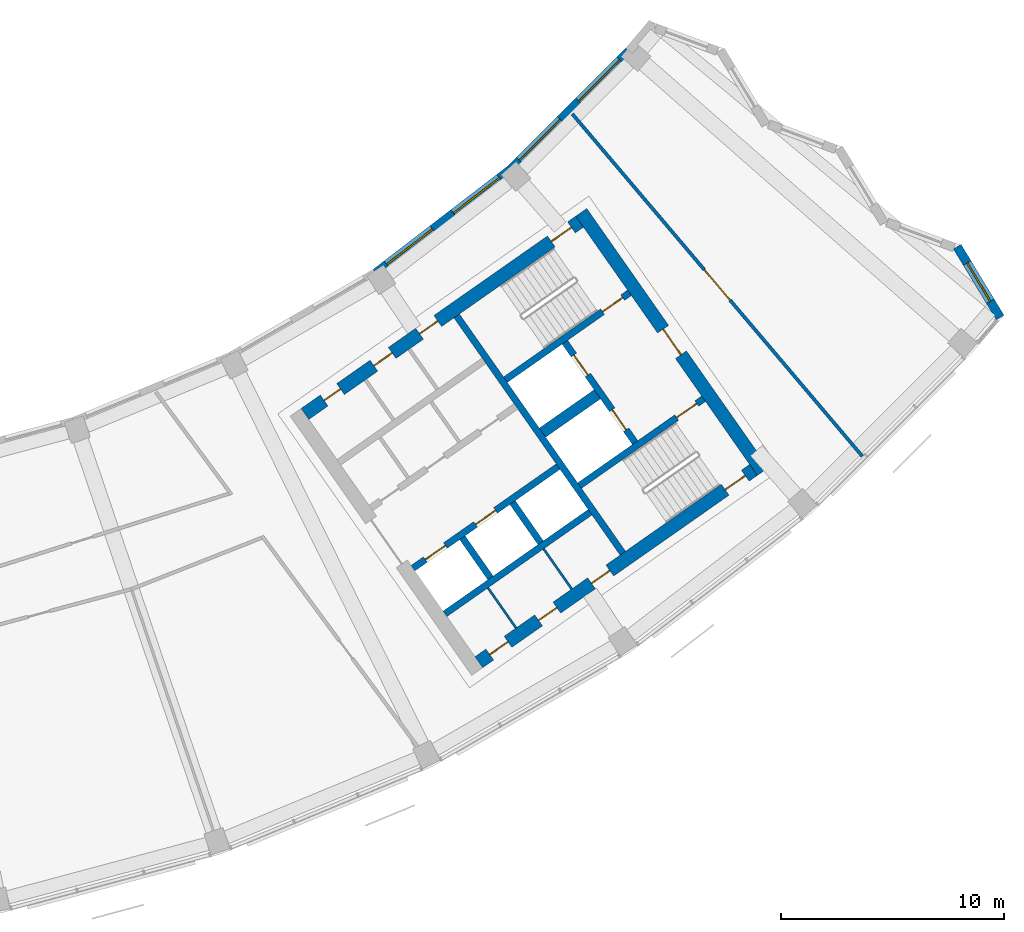
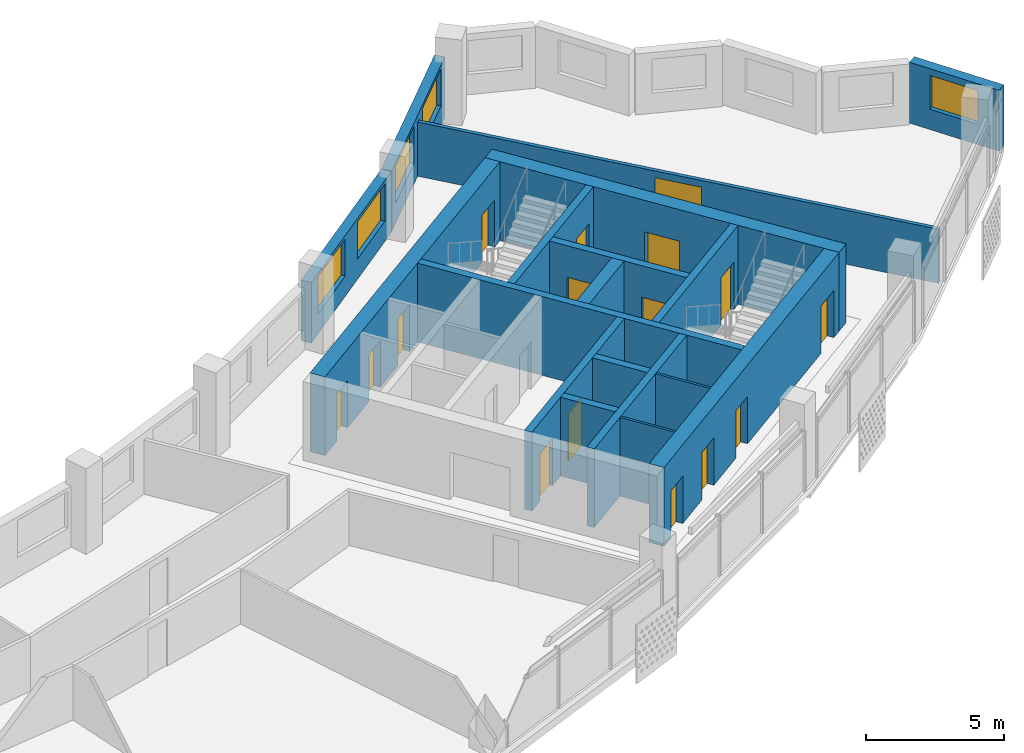
# One storey, part 7 of 28: 18 walls, 16 doors, 5 windows, 21 openings.
"""IFC4 building model written with IfcOpenShell, lengths in metres."""

from ifc_helpers import new_model, si_unit, direction, frame, frame_2d, origin, place, context, subcontext, project, spatial, rectangle, extrude, material, layer, layer_set, type_object, element, fill, save


model = new_model("IFC4")

# Units and contexts
model_context = context("Model", 3, precision=1e-05, world=origin(), true_north=direction((0.0, 1.0)))
body_context = subcontext(model_context, "Body", "Model", "MODEL_VIEW")
ifc_project = project(units=[si_unit("LENGTHUNIT", "METRE"), si_unit("AREAUNIT", "SQUARE_METRE"), si_unit("VOLUMEUNIT", "CUBIC_METRE"), si_unit("PLANEANGLEUNIT", "RADIAN"), si_unit("MASSUNIT", "GRAM", prefix="KILO")], contexts=[model_context])

# Site, building, storey
site_placement = place(None, origin())
site = spatial("IfcSite", under=ifc_project, at=site_placement, CompositionType="ELEMENT")
building_placement = place(site_placement, origin())
building = spatial("IfcBuilding", under=site, at=building_placement, Name="Qamariyya Broadcast Tower", CompositionType="ELEMENT")
storey_placement = place(building_placement, frame((0.0, 0.0, 269.5)))
storey = spatial("IfcBuildingStorey", under=building, at=storey_placement, Name="L65", CompositionType="ELEMENT", Elevation=269.5)

# Wall, opening, door
ifc_material_1 = material(Name="Concrete C60/75", Category="concrete")
ifc_layer_1 = layer(ifc_material_1, 0.60009765625)
ifc_layer_set_1 = layer_set([ifc_layer_1], Name="Core wall 600 mm Concrete C60/75")
wall_type_1 = type_object("IfcWallType", Name="Core wall 600 mm Concrete C60/75", PredefinedType="SHEAR", material=ifc_layer_set_1)
wall_1_placement = place(storey_placement, frame((49.4833984375, -57.031494140625, 0.0), z_axis=(0.0, 0.0, 1.0), x_axis=(-0.573560421458, 0.819163257805, 0.0)))
wall_1 = element("IfcWall", 1, at=wall_1_placement, inside=storey, type_object=wall_type_1, Name="k-E-L65-WH", PredefinedType="SHEAR", context=body_context, shape_type="SweptSolid", body=[
    extrude(rectangle(XDim=14.199951171875, YDim=0.60009765625, at=frame_2d((7.10009765625, 0.0))), origin(), (0.0, 0.0, 1.0), 3.5),
])
opening_1_placement = place(wall_1_placement, frame((6.39990234375, 0.0, 0.0)))
opening_1 = element("IfcOpeningElement", 2, at=opening_1_placement, cuts=wall_1, Name="Opening KD2-E1", PredefinedType="OPENING", context=body_context, shape_type="SweptSolid", body=[
    extrude(rectangle(XDim=1.39990234375, YDim=2.10009765625, at=frame_2d((0.699951171875, 1.050048828125))), frame((0.0, 0.31005859375, 0.0), z_axis=(0.0, -1.0, 0.0), x_axis=(1.0, 0.0, 0.0)), (0.0, 0.0, 1.0), 0.6201171875),
])
ifc_material_2 = material(Name="Steel fire-resisting door leaf", Category="steel")
door_type_1 = type_object("IfcDoorType", Name="Fire-fighting lobby door KD2", OperationType="DOUBLE_DOOR_SINGLE_SWING", PredefinedType="DOOR", material=ifc_material_2)
door_1_placement = place(opening_1_placement, origin())
door_1 = element("IfcDoor", 3, at=door_1_placement, inside=storey, type_object=door_type_1, Name="k-E-L65-WH-D15", OperationType="DOUBLE_DOOR_SINGLE_SWING", OverallHeight=2.10009765625, OverallWidth=1.39990234375, PredefinedType="DOOR", context=body_context, shape_type="SweptSolid", body=[
    extrude(rectangle(XDim=1.39990234375, YDim=2.10009765625, at=frame_2d((0.699951171875, 1.050048828125))), frame((0.0, 0.02490234375, 0.0), z_axis=(0.0, -1.0, 0.0), x_axis=(1.0, 0.0, 0.0)), (0.0, 0.0, 1.0), 0.050048828125),
])
fill(opening_1, door_1)

# Wall, openings, doors
wall_2_placement = place(storey_placement, frame((28.940673828125, -54.447021484375, 0.0), z_axis=(0.0, 0.0, 1.0), x_axis=(0.819153391756, 0.573574511963, 0.0)))
wall_2 = element("IfcWall", 4, at=wall_2_placement, inside=storey, type_object=wall_type_1, Name="k-E-L65-WI", PredefinedType="SHEAR", context=body_context, shape_type="SweptSolid", body=[
    extrude(rectangle(XDim=15.04541015625, YDim=0.60009765625, at=frame_2d((7.522705078125, 0.0))), origin(), (0.0, 0.0, 1.0), 3.5),
])
opening_2_placement = place(wall_2_placement, frame((1.050048828125, 0.0, 0.0)))
opening_2 = element("IfcOpeningElement", 5, at=opening_2_placement, cuts=wall_2, Name="Opening KD5-E1", PredefinedType="OPENING", context=body_context, shape_type="SweptSolid", body=[
    extrude(rectangle(XDim=0.89990234375, YDim=2.10009765625, at=frame_2d((0.449951171875, 1.050048828125))), frame((0.0, 0.31005859375, 0.0), z_axis=(0.0, -1.0, 0.0), x_axis=(1.0, 0.0, 0.0)), (0.0, 0.0, 1.0), 0.6201171875),
])
opening_3_placement = place(wall_2_placement, frame((3.77490234375, 0.0, 0.0)))
opening_3 = element("IfcOpeningElement", 6, at=opening_3_placement, cuts=wall_2, Name="Opening KD7-E1", PredefinedType="OPENING", context=body_context, shape_type="SweptSolid", body=[
    extrude(rectangle(XDim=1.0, YDim=2.10009765625, at=frame_2d((0.5, 1.050048828125))), frame((0.0, 0.31005859375, 0.0), z_axis=(0.0, -1.0, 0.0), x_axis=(1.0, 0.0, 0.0)), (0.0, 0.0, 1.0), 0.6201171875),
])
opening_4_placement = place(wall_2_placement, frame((6.27490234375, 0.0, 0.0)))
opening_4 = element("IfcOpeningElement", 7, at=opening_4_placement, cuts=wall_2, Name="Opening KD6-E3", PredefinedType="OPENING", context=body_context, shape_type="SweptSolid", body=[
    extrude(rectangle(XDim=1.0, YDim=2.10009765625, at=frame_2d((0.5, 1.050048828125))), frame((0.0, 0.31005859375, 0.0), z_axis=(0.0, -1.0, 0.0), x_axis=(1.0, 0.0, 0.0)), (0.0, 0.0, 1.0), 0.6201171875),
])
opening_5_placement = place(wall_2_placement, frame((13.495361328125, 0.0, 0.0)))
opening_5 = element("IfcOpeningElement", 8, at=opening_5_placement, cuts=wall_2, Name="Opening KD1-E1", PredefinedType="OPENING", context=body_context, shape_type="SweptSolid", body=[
    extrude(rectangle(XDim=1.10009765625, YDim=2.10009765625, at=frame_2d((0.550048828125, 1.050048828125))), frame((0.0, 0.31005859375, 0.0), z_axis=(0.0, -1.0, 0.0), x_axis=(1.0, 0.0, 0.0)), (0.0, 0.0, 1.0), 0.6201171875),
])
door_type_2 = type_object("IfcDoorType", Name="Accessible toilet door KD7", OperationType="SINGLE_SWING_LEFT", PredefinedType="DOOR", material=ifc_material_2)
door_2_placement = place(opening_3_placement, origin())
door_2 = element("IfcDoor", 9, at=door_2_placement, inside=storey, type_object=door_type_2, Name="k-E-L65-WI-D8", OperationType="SINGLE_SWING_RIGHT", OverallHeight=2.10009765625, OverallWidth=1.0, PredefinedType="DOOR", context=body_context, shape_type="SweptSolid", body=[
    extrude(rectangle(XDim=1.0, YDim=2.10009765625, at=frame_2d((0.5, 1.050048828125))), frame((0.0, 0.02490234375, 0.0), z_axis=(0.0, -1.0, 0.0), x_axis=(1.0, 0.0, 0.0)), (0.0, 0.0, 1.0), 0.050048828125),
])
fill(opening_3, door_2)
door_type_3 = type_object("IfcDoorType", Name="Core room door KD6", OperationType="SINGLE_SWING_LEFT", PredefinedType="DOOR", material=ifc_material_2)
door_3_placement = place(opening_4_placement, origin())
door_3 = element("IfcDoor", 10, at=door_3_placement, inside=storey, type_object=door_type_3, Name="k-E-L65-WI-D9", OperationType="SINGLE_SWING_LEFT", OverallHeight=2.10009765625, OverallWidth=1.0, PredefinedType="DOOR", context=body_context, shape_type="SweptSolid", body=[
    extrude(rectangle(XDim=1.0, YDim=2.10009765625, at=frame_2d((0.5, 1.050048828125))), frame((0.0, 0.02490234375, 0.0), z_axis=(0.0, -1.0, 0.0), x_axis=(1.0, 0.0, 0.0)), (0.0, 0.0, 1.0), 0.050048828125),
])
fill(opening_4, door_3)
door_type_4 = type_object("IfcDoorType", Name="Stair door KD1", OperationType="SINGLE_SWING_LEFT", PredefinedType="DOOR", material=ifc_material_2)
door_4_placement = place(opening_5_placement, origin())
door_4 = element("IfcDoor", 11, at=door_4_placement, inside=storey, type_object=door_type_4, Name="k-E-L65-WI-D16", OperationType="SINGLE_SWING_RIGHT", OverallHeight=2.10009765625, OverallWidth=1.10009765625, PredefinedType="DOOR", context=body_context, shape_type="SweptSolid", body=[
    extrude(rectangle(XDim=1.10009765625, YDim=2.10009765625, at=frame_2d((0.550048828125, 1.050048828125))), frame((0.0, 0.02490234375, 0.0), z_axis=(0.0, -1.0, 0.0), x_axis=(1.0, 0.0, 0.0)), (0.0, 0.0, 1.0), 0.050048828125),
])
fill(opening_5, door_4)
door_type_5 = type_object("IfcDoorType", Name="Toilet door KD5", OperationType="SINGLE_SWING_LEFT", PredefinedType="DOOR", material=ifc_material_2)
door_5_placement = place(opening_2_placement, origin())
door_5 = element("IfcDoor", 12, at=door_5_placement, inside=storey, type_object=door_type_5, Name="k-E-L65-WI-D7", OperationType="SINGLE_SWING_LEFT", OverallHeight=2.10009765625, OverallWidth=0.89990234375, PredefinedType="DOOR", context=body_context, shape_type="SweptSolid", body=[
    extrude(rectangle(XDim=0.89990234375, YDim=2.10009765625, at=frame_2d((0.449951171875, 1.050048828125))), frame((0.0, 0.02490234375, 0.0), z_axis=(0.0, -1.0, 0.0), x_axis=(1.0, 0.0, 0.0)), (0.0, 0.0, 1.0), 0.050048828125),
])
fill(opening_2, door_5)

wall_3_placement = place(storey_placement, frame((36.7412109375, -65.58740234375, 0.0), z_axis=(0.0, 0.0, 1.0), x_axis=(0.819153391756, 0.573574511963, 0.0)))
wall_3 = element("IfcWall", 13, at=wall_3_placement, inside=storey, type_object=wall_type_1, Name="k-E-L65-WO", PredefinedType="SHEAR", context=body_context, shape_type="SweptSolid", body=[
    extrude(rectangle(XDim=15.04541015625, YDim=0.60009765625, at=frame_2d((7.522705078125, 0.0))), origin(), (0.0, 0.0, 1.0), 3.5),
])
opening_6_placement = place(wall_3_placement, frame((0.60009765625, 0.0, 0.0)))
opening_6 = element("IfcOpeningElement", 14, at=opening_6_placement, cuts=wall_3, Name="Opening KD4-E2", PredefinedType="OPENING", context=body_context, shape_type="SweptSolid", body=[
    extrude(rectangle(XDim=1.0, YDim=2.10009765625, at=frame_2d((0.5, 1.050048828125))), frame((0.0, 0.31005859375, 0.0), z_axis=(0.0, -1.0, 0.0), x_axis=(1.0, 0.0, 0.0)), (0.0, 0.0, 1.0), 0.6201171875),
])
opening_7_placement = place(wall_3_placement, frame((3.27490234375, 0.0, 0.0)))
opening_7 = element("IfcOpeningElement", 15, at=opening_7_placement, cuts=wall_3, Name="Opening KD4-E3", PredefinedType="OPENING", context=body_context, shape_type="SweptSolid", body=[
    extrude(rectangle(XDim=1.0, YDim=2.10009765625, at=frame_2d((0.5, 1.050048828125))), frame((0.0, 0.31005859375, 0.0), z_axis=(0.0, -1.0, 0.0), x_axis=(1.0, 0.0, 0.0)), (0.0, 0.0, 1.0), 0.6201171875),
])
opening_8_placement = place(wall_3_placement, frame((6.175048828125, 0.0, 0.0)))
opening_8 = element("IfcOpeningElement", 16, at=opening_8_placement, cuts=wall_3, Name="Opening KD4-E4", PredefinedType="OPENING", context=body_context, shape_type="SweptSolid", body=[
    extrude(rectangle(XDim=1.0, YDim=2.10009765625, at=frame_2d((0.5, 1.050048828125))), frame((0.0, 0.31005859375, 0.0), z_axis=(0.0, -1.0, 0.0), x_axis=(1.0, 0.0, 0.0)), (0.0, 0.0, 1.0), 0.6201171875),
])
opening_9_placement = place(wall_3_placement, frame((13.495361328125, 0.0, 0.0)))
opening_9 = element("IfcOpeningElement", 17, at=opening_9_placement, cuts=wall_3, Name="Opening KD1-E3", PredefinedType="OPENING", context=body_context, shape_type="SweptSolid", body=[
    extrude(rectangle(XDim=1.10009765625, YDim=2.10009765625, at=frame_2d((0.550048828125, 1.050048828125))), frame((0.0, 0.31005859375, 0.0), z_axis=(0.0, -1.0, 0.0), x_axis=(1.0, 0.0, 0.0)), (0.0, 0.0, 1.0), 0.6201171875),
])
door_type_6 = type_object("IfcDoorType", Name="Riser and plant door KD4", OperationType="SINGLE_SWING_LEFT", PredefinedType="DOOR", material=ifc_material_2)
door_6_placement = place(opening_6_placement, origin())
door_6 = element("IfcDoor", 18, at=door_6_placement, inside=storey, type_object=door_type_6, Name="k-E-L65-WO-D10", OperationType="SINGLE_SWING_RIGHT", OverallHeight=2.10009765625, OverallWidth=1.0, PredefinedType="DOOR", context=body_context, shape_type="SweptSolid", body=[
    extrude(rectangle(XDim=1.0, YDim=2.10009765625, at=frame_2d((0.5, 1.050048828125))), frame((0.0, 0.02490234375, 0.0), z_axis=(0.0, -1.0, 0.0), x_axis=(1.0, 0.0, 0.0)), (0.0, 0.0, 1.0), 0.050048828125),
])
fill(opening_6, door_6)
door_7_placement = place(opening_7_placement, origin())
door_7 = element("IfcDoor", 19, at=door_7_placement, inside=storey, type_object=door_type_6, Name="k-E-L65-WO-D11", OperationType="SINGLE_SWING_LEFT", OverallHeight=2.10009765625, OverallWidth=1.0, PredefinedType="DOOR", context=body_context, shape_type="SweptSolid", body=[
    extrude(rectangle(XDim=1.0, YDim=2.10009765625, at=frame_2d((0.5, 1.050048828125))), frame((0.0, 0.02490234375, 0.0), z_axis=(0.0, -1.0, 0.0), x_axis=(1.0, 0.0, 0.0)), (0.0, 0.0, 1.0), 0.050048828125),
])
fill(opening_7, door_7)
door_8_placement = place(opening_8_placement, origin())
door_8 = element("IfcDoor", 20, at=door_8_placement, inside=storey, type_object=door_type_6, Name="k-E-L65-WO-D12", OperationType="SINGLE_SWING_RIGHT", OverallHeight=2.10009765625, OverallWidth=1.0, PredefinedType="DOOR", context=body_context, shape_type="SweptSolid", body=[
    extrude(rectangle(XDim=1.0, YDim=2.10009765625, at=frame_2d((0.5, 1.050048828125))), frame((0.0, 0.02490234375, 0.0), z_axis=(0.0, -1.0, 0.0), x_axis=(1.0, 0.0, 0.0)), (0.0, 0.0, 1.0), 0.050048828125),
])
fill(opening_8, door_8)
door_9_placement = place(opening_9_placement, origin())
door_9 = element("IfcDoor", 21, at=door_9_placement, inside=storey, type_object=door_type_4, Name="k-E-L65-WO-D18", OperationType="SINGLE_SWING_LEFT", OverallHeight=2.10009765625, OverallWidth=1.10009765625, PredefinedType="DOOR", context=body_context, shape_type="SweptSolid", body=[
    extrude(rectangle(XDim=1.10009765625, YDim=2.10009765625, at=frame_2d((0.550048828125, 1.050048828125))), frame((0.0, 0.02490234375, 0.0), z_axis=(0.0, -1.0, 0.0), x_axis=(1.0, 0.0, 0.0)), (0.0, 0.0, 1.0), 0.050048828125),
])
fill(opening_9, door_9)

# Wall, opening, door
ifc_material_3 = material(Name="Gypsum board partition")
ifc_layer_2 = layer(ifc_material_3, 0.14990234375)
ifc_layer_set_2 = layer_set([ifc_layer_2], Name="Corridor partition 150 EI 60")
wall_type_2 = type_object("IfcWallType", Name="Corridor partition 150 EI 60", PredefinedType="PARTITIONING", material=ifc_layer_set_2)
wall_4_placement = place(storey_placement, frame((40.93603515625, -40.982666015625, 0.0), z_axis=(0.0, 0.0, 1.0), x_axis=(0.646426079671, -0.76297662056, 0.0)))
wall_4 = element("IfcWall", 22, at=wall_4_placement, inside=storey, type_object=wall_type_2, Name="Partition L65-032", PredefinedType="PARTITIONING", context=body_context, shape_type="SweptSolid", body=[
    extrude(rectangle(XDim=20.1259765625, YDim=0.14990234375, at=frame_2d((10.06298828125, 0.0))), origin(), (0.0, 0.0, 1.0), 2.39990234375),
])
opening_10_placement = place(wall_4_placement, frame((9.1630859375, 0.0, 0.0)))
opening_10 = element("IfcOpeningElement", 23, at=opening_10_placement, cuts=wall_4, Name="Opening L65-D16", PredefinedType="OPENING", context=body_context, shape_type="SweptSolid", body=[
    extrude(rectangle(XDim=1.800048828125, YDim=2.10009765625, at=frame_2d((0.89990234375, 1.050048828125))), frame((0.0, 0.0849609375, 0.0), z_axis=(0.0, -1.0, 0.0), x_axis=(1.0, 0.0, 0.0)), (0.0, 0.0, 1.0), 0.169921875),
])
ifc_material_4 = material(Name="Timber fire door leaf", Category="wood")
door_type_7 = type_object("IfcDoorType", Name="Double fire door 1800 x 2100 FD60", OperationType="NOTDEFINED", PredefinedType="DOOR", material=ifc_material_4)
door_10_placement = place(opening_10_placement, origin())
door_10 = element("IfcDoor", 24, at=door_10_placement, inside=storey, type_object=door_type_7, Name="Door L65-D16", OperationType="DOUBLE_DOOR_SINGLE_SWING", OverallHeight=2.10009765625, OverallWidth=1.800048828125, PredefinedType="DOOR", context=body_context, shape_type="SweptSolid", body=[
    extrude(rectangle(XDim=1.800048828125, YDim=2.10009765625, at=frame_2d((0.89990234375, 1.050048828125))), frame((0.0, 0.02490234375, 0.0), z_axis=(0.0, -1.0, 0.0), x_axis=(1.0, 0.0, 0.0)), (0.0, 0.0, 1.0), 0.050048828125),
])
fill(opening_10, door_10)

# Walls
ifc_layer_3 = layer(ifc_material_1, 0.5)
ifc_layer_set_3 = layer_set([ifc_layer_3], Name="Fire-fighting lobby divider wall 500 mm Concrete C60/75")
wall_type_3 = type_object("IfcWallType", Name="Fire-fighting lobby divider wall 500 mm Concrete C60/75", PredefinedType="SOLIDWALL", material=ifc_layer_set_3)
wall_5_placement = place(storey_placement, frame((39.59912109375, -55.28515625, 0.0), z_axis=(0.0, 0.0, 1.0), x_axis=(0.819136323161, 0.573598887793, 0.0)))
element("IfcWall", 25, at=wall_5_placement, inside=storey, type_object=wall_type_3, Name="k-E-L65-FD", PredefinedType="SOLIDWALL", context=body_context, shape_type="SweptSolid", body=[
    extrude(rectangle(XDim=2.999755859375, YDim=0.5, at=frame_2d((1.5, 0.0))), origin(), (0.0, 0.0, 1.0), 3.5),
])
ifc_layer_4 = layer(ifc_material_1, 0.300048828125)
ifc_layer_set_4 = layer_set([ifc_layer_4], Name="Lift shaft wall 300 mm Concrete C60/75")
wall_type_4 = type_object("IfcWallType", Name="Lift shaft wall 300 mm Concrete C60/75", PredefinedType="SOLIDWALL", material=ifc_layer_set_4)
wall_6_placement = place(storey_placement, frame((43.204345703125, -60.69580078125, 0.0), z_axis=(0.0, 0.0, 1.0), x_axis=(-0.573571992966, 0.819155155563, 0.0)))
element("IfcWall", 26, at=wall_6_placement, inside=storey, type_object=wall_type_4, Name="k-E-L65-WL", PredefinedType="SOLIDWALL", context=body_context, shape_type="SweptSolid", body=[
    extrude(rectangle(XDim=13.000244140625, YDim=0.300048828125, at=frame_2d((6.5, 0.0))), origin(), (0.0, 0.0, 1.0), 3.5),
])

# Wall, openings, doors
wall_7_placement = place(storey_placement, frame((33.787353515625, -61.368896484375, 0.0), z_axis=(0.0, 0.0, 1.0), x_axis=(0.819152564888, 0.573575692858, 0.0)))
wall_7 = element("IfcWall", 27, at=wall_7_placement, inside=storey, type_object=wall_type_4, Name="k-E-L65-SF0", PredefinedType="SOLIDWALL", context=body_context, shape_type="SweptSolid", body=[
    extrude(rectangle(XDim=7.9501953125, YDim=0.300048828125, at=frame_2d((3.97509765625, 0.0))), origin(), (0.0, 0.0, 1.0), 3.5),
])
opening_11_placement = place(wall_7_placement, frame((0.675048828125, 0.0, 0.0)))
opening_11 = element("IfcOpeningElement", 28, at=opening_11_placement, cuts=wall_7, Name="Opening LD", PredefinedType="OPENING", context=body_context, shape_type="SweptSolid", body=[
    extrude(rectangle(XDim=1.10009765625, YDim=2.10009765625, at=frame_2d((0.550048828125, 1.050048828125))), frame((0.0, 0.159912109375, 0.0), z_axis=(0.0, -1.0, 0.0), x_axis=(1.0, 0.0, 0.0)), (0.0, 0.0, 1.0), 0.320068359375),
])
opening_12_placement = place(wall_7_placement, frame((3.425048828125, 0.0, 0.0)))
opening_12 = element("IfcOpeningElement", 29, at=opening_12_placement, cuts=wall_7, Name="Opening LD", PredefinedType="OPENING", context=body_context, shape_type="SweptSolid", body=[
    extrude(rectangle(XDim=1.10009765625, YDim=2.10009765625, at=frame_2d((0.550048828125, 1.050048828125))), frame((0.0, 0.159912109375, 0.0), z_axis=(0.0, -1.0, 0.0), x_axis=(1.0, 0.0, 0.0)), (0.0, 0.0, 1.0), 0.320068359375),
])
door_type_8 = type_object("IfcDoorType", Name="Lift landing door LD", OperationType="DOUBLE_DOOR_SLIDING", PredefinedType="DOOR", material=ifc_material_2)
door_11_placement = place(opening_11_placement, origin())
door_11 = element("IfcDoor", 30, at=door_11_placement, inside=storey, type_object=door_type_8, Name="k-E-L65-SF0-D5", OperationType="DOUBLE_DOOR_SLIDING", OverallHeight=2.10009765625, OverallWidth=1.10009765625, PredefinedType="DOOR", context=body_context, shape_type="SweptSolid", body=[
    extrude(rectangle(XDim=1.10009765625, YDim=2.10009765625, at=frame_2d((0.550048828125, 1.050048828125))), frame((0.0, 0.02490234375, 0.0), z_axis=(0.0, -1.0, 0.0), x_axis=(1.0, 0.0, 0.0)), (0.0, 0.0, 1.0), 0.050048828125),
])
fill(opening_11, door_11)
door_12_placement = place(opening_12_placement, origin())
door_12 = element("IfcDoor", 31, at=door_12_placement, inside=storey, type_object=door_type_8, Name="k-E-L65-SF0-D6", OperationType="DOUBLE_DOOR_SLIDING", OverallHeight=2.10009765625, OverallWidth=1.10009765625, PredefinedType="DOOR", context=body_context, shape_type="SweptSolid", body=[
    extrude(rectangle(XDim=1.10009765625, YDim=2.10009765625, at=frame_2d((0.550048828125, 1.050048828125))), frame((0.0, 0.02490234375, 0.0), z_axis=(0.0, -1.0, 0.0), x_axis=(1.0, 0.0, 0.0)), (0.0, 0.0, 1.0), 0.050048828125),
])
fill(opening_12, door_12)

# Walls
wall_8_placement = place(storey_placement, frame((35.22119140625, -63.41650390625, 0.0), z_axis=(0.0, 0.0, 1.0), x_axis=(0.819166993208, 0.573555086491, 0.0)))
element("IfcWall", 32, at=wall_8_placement, inside=storey, type_object=wall_type_4, Name="k-E-L65-SB0", PredefinedType="SOLIDWALL", context=body_context, shape_type="SweptSolid", body=[
    extrude(rectangle(XDim=7.9501953125, YDim=0.300048828125, at=frame_2d((3.97509765625, 0.0))), origin(), (0.0, 0.0, 1.0), 3.5),
])
wall_9_placement = place(storey_placement, frame((36.003173828125, -60.000244140625, 0.0), z_axis=(0.0, 0.0, 1.0), x_axis=(0.573581496053, -0.819148501424, 0.0)))
element("IfcWall", 33, at=wall_9_placement, inside=storey, type_object=wall_type_4, Name="k-E-L65-SD0", PredefinedType="SOLIDWALL", context=body_context, shape_type="SweptSolid", body=[
    extrude(rectangle(XDim=2.2001953125, YDim=0.300048828125, at=frame_2d((1.10009765625, 0.0))), origin(), (0.0, 0.0, 1.0), 3.5),
])
wall_10_placement = place(storey_placement, frame((38.255859375, -58.423095703125, 0.0), z_axis=(0.0, 0.0, 1.0), x_axis=(0.573633636671, -0.819111989218, 0.0)))
element("IfcWall", 34, at=wall_10_placement, inside=storey, type_object=wall_type_4, Name="k-E-L65-SD1", PredefinedType="SOLIDWALL", context=body_context, shape_type="SweptSolid", body=[
    extrude(rectangle(XDim=2.199951171875, YDim=0.300048828125, at=frame_2d((1.10009765625, 0.0))), origin(), (0.0, 0.0, 1.0), 3.5),
])

# Wall, opening, door
wall_11_placement = place(storey_placement, frame((37.935546875, -52.90966796875, 0.0), z_axis=(0.0, 0.0, 1.0), x_axis=(0.819147518138, 0.57358290031, 0.0)))
wall_11 = element("IfcWall", 35, at=wall_11_placement, inside=storey, type_object=wall_type_4, Name="k-E-L65-NW", PredefinedType="SOLIDWALL", context=body_context, shape_type="SweptSolid", body=[
    extrude(rectangle(XDim=6.79541015625, YDim=0.300048828125, at=frame_2d((3.397705078125, 0.0))), origin(), (0.0, 0.0, 1.0), 3.5),
])
opening_13_placement = place(wall_11_placement, frame((5.3203125, 0.0, 0.0)))
opening_13 = element("IfcOpeningElement", 36, at=opening_13_placement, cuts=wall_11, Name="Opening KD1-E2", PredefinedType="OPENING", context=body_context, shape_type="SweptSolid", body=[
    extrude(rectangle(XDim=1.10009765625, YDim=2.10009765625, at=frame_2d((0.550048828125, 1.050048828125))), frame((0.0, 0.159912109375, 0.0), z_axis=(0.0, -1.0, 0.0), x_axis=(1.0, 0.0, 0.0)), (0.0, 0.0, 1.0), 0.320068359375),
])
door_13_placement = place(opening_13_placement, origin())
door_13 = element("IfcDoor", 37, at=door_13_placement, inside=storey, type_object=door_type_4, Name="k-E-L65-NW-D17", OperationType="SINGLE_SWING_LEFT", OverallHeight=2.10009765625, OverallWidth=1.10009765625, PredefinedType="DOOR", context=body_context, shape_type="SweptSolid", body=[
    extrude(rectangle(XDim=1.10009765625, YDim=2.10009765625, at=frame_2d((0.550048828125, 1.050048828125))), frame((0.0, 0.02490234375, 0.0), z_axis=(0.0, -1.0, 0.0), x_axis=(1.0, 0.0, 0.0)), (0.0, 0.0, 1.0), 0.050048828125),
])
fill(opening_13, door_13)

wall_12_placement = place(storey_placement, frame((41.262451171875, -57.66064453125, 0.0), z_axis=(0.0, 0.0, 1.0), x_axis=(0.819164398642, 0.573558792102, 0.0)))
wall_12 = element("IfcWall", 38, at=wall_12_placement, inside=storey, type_object=wall_type_4, Name="k-E-L65-SW", PredefinedType="SOLIDWALL", context=body_context, shape_type="SweptSolid", body=[
    extrude(rectangle(XDim=6.795166015625, YDim=0.300048828125, at=frame_2d((3.3974609375, 0.0))), origin(), (0.0, 0.0, 1.0), 3.5),
])
opening_14_placement = place(wall_12_placement, frame((5.3203125, 0.0, 0.0)))
opening_14 = element("IfcOpeningElement", 39, at=opening_14_placement, cuts=wall_12, Name="Opening KD1-E4", PredefinedType="OPENING", context=body_context, shape_type="SweptSolid", body=[
    extrude(rectangle(XDim=1.10009765625, YDim=2.10009765625, at=frame_2d((0.550048828125, 1.050048828125))), frame((0.0, 0.159912109375, 0.0), z_axis=(0.0, -1.0, 0.0), x_axis=(1.0, 0.0, 0.0)), (0.0, 0.0, 1.0), 0.320068359375),
])
door_14_placement = place(opening_14_placement, origin())
door_14 = element("IfcDoor", 40, at=door_14_placement, inside=storey, type_object=door_type_4, Name="k-E-L65-SW-D19", OperationType="SINGLE_SWING_LEFT", OverallHeight=2.10009765625, OverallWidth=1.10009765625, PredefinedType="DOOR", context=body_context, shape_type="SweptSolid", body=[
    extrude(rectangle(XDim=1.10009765625, YDim=2.10009765625, at=frame_2d((0.550048828125, 1.050048828125))), frame((0.0, 0.02490234375, 0.0), z_axis=(0.0, -1.0, 0.0), x_axis=(1.0, 0.0, 0.0)), (0.0, 0.0, 1.0), 0.050048828125),
])
fill(opening_14, door_14)

# Wall, openings, doors
wall_13_placement = place(storey_placement, frame((43.756591796875, -55.731201171875, 0.0), z_axis=(0.0, 0.0, 1.0), x_axis=(-0.573536818435, 0.819179783625, 0.0)))
wall_13 = element("IfcWall", 41, at=wall_13_placement, inside=storey, type_object=wall_type_4, Name="k-E-L65-FF", PredefinedType="SOLIDWALL", context=body_context, shape_type="SweptSolid", body=[
    extrude(rectangle(XDim=5.500244140625, YDim=0.300048828125, at=frame_2d((2.75, 0.0))), origin(), (0.0, 0.0, 1.0), 3.5),
])
opening_15_placement = place(wall_13_placement, frame((0.699951171875, 0.0, 0.0)))
opening_15 = element("IfcOpeningElement", 42, at=opening_15_placement, cuts=wall_13, Name="Opening LD", PredefinedType="OPENING", context=body_context, shape_type="SweptSolid", body=[
    extrude(rectangle(XDim=1.10009765625, YDim=2.10009765625, at=frame_2d((0.550048828125, 1.050048828125))), frame((0.0, 0.159912109375, 0.0), z_axis=(0.0, -1.0, 0.0), x_axis=(1.0, 0.0, 0.0)), (0.0, 0.0, 1.0), 0.320068359375),
])
opening_16_placement = place(wall_13_placement, frame((3.699951171875, 0.0, 0.0)))
opening_16 = element("IfcOpeningElement", 43, at=opening_16_placement, cuts=wall_13, Name="Opening LD", PredefinedType="OPENING", context=body_context, shape_type="SweptSolid", body=[
    extrude(rectangle(XDim=1.10009765625, YDim=2.10009765625, at=frame_2d((0.550048828125, 1.050048828125))), frame((0.0, 0.159912109375, 0.0), z_axis=(0.0, -1.0, 0.0), x_axis=(1.0, 0.0, 0.0)), (0.0, 0.0, 1.0), 0.320068359375),
])
door_15_placement = place(opening_15_placement, origin())
door_15 = element("IfcDoor", 44, at=door_15_placement, inside=storey, type_object=door_type_8, Name="k-E-L65-FF-D13", OperationType="DOUBLE_DOOR_SLIDING", OverallHeight=2.10009765625, OverallWidth=1.10009765625, PredefinedType="DOOR", context=body_context, shape_type="SweptSolid", body=[
    extrude(rectangle(XDim=1.10009765625, YDim=2.10009765625, at=frame_2d((0.550048828125, 1.050048828125))), frame((0.0, 0.02490234375, 0.0), z_axis=(0.0, -1.0, 0.0), x_axis=(1.0, 0.0, 0.0)), (0.0, 0.0, 1.0), 0.050048828125),
])
fill(opening_15, door_15)
door_16_placement = place(opening_16_placement, origin())
door_16 = element("IfcDoor", 45, at=door_16_placement, inside=storey, type_object=door_type_8, Name="k-E-L65-FF-D14", OperationType="DOUBLE_DOOR_SLIDING", OverallHeight=2.10009765625, OverallWidth=1.10009765625, PredefinedType="DOOR", context=body_context, shape_type="SweptSolid", body=[
    extrude(rectangle(XDim=1.10009765625, YDim=2.10009765625, at=frame_2d((0.550048828125, 1.050048828125))), frame((0.0, 0.02490234375, 0.0), z_axis=(0.0, -1.0, 0.0), x_axis=(1.0, 0.0, 0.0)), (0.0, 0.0, 1.0), 0.050048828125),
])
fill(opening_16, door_16)

# Walls
ifc_material_5 = material(Name="Fire-rated gypsum shaft liner on steel studs", Category="steel")
ifc_layer_5 = layer(ifc_material_5, 0.10009765625)
ifc_layer_set_5 = layer_set([ifc_layer_5], Name="Riser wall 100 mm")
wall_type_5 = type_object("IfcWallType", Name="Riser wall 100 mm", PredefinedType="PLUMBINGWALL", material=ifc_layer_set_5)
for number, where, z_axis, x_axis, name in (
    (46, (37.150390625, -62.2490234375, 0.0), (0.0, 0.0, 1.0), (0.573633636671, -0.819111989218, 0.0), "k-E-L65-SP225"),
    (47, (39.64892578125, -60.49951171875, 0.0), (0.0, 0.0, 1.0), (0.573507030513, -0.819200638399, 0.0), "k-E-L65-SP530"),
):
    element("IfcWall", number, at=place(storey_placement, frame(where, z_axis=z_axis, x_axis=x_axis)), inside=storey, type_object=wall_type_5, Name=name, PredefinedType="PLUMBINGWALL", context=body_context, shape_type="SweptSolid", body=[
        extrude(rectangle(XDim=2.199951171875, YDim=0.10009765625, at=frame_2d((1.10009765625, 0.0))), origin(), (0.0, 0.0, 1.0), 3.5),
    ])

# Wall, opening, window
ifc_material_6 = material(Name="Terracotta", Category="masonry")
ifc_layer_6 = layer(ifc_material_6, 0.39990234375)
ifc_layer_set_6 = layer_set([ifc_layer_6], Name="Terracotta clad wall 400")
wall_type_6 = type_object("IfcWallType", Name="Terracotta clad wall 400", PredefinedType="SOLIDWALL", material=ifc_layer_set_6)
wall_14_placement = place(storey_placement, frame((60.136962890625, -50.120361328125, 0.0), z_axis=(0.0, 0.0, 1.0), x_axis=(-0.51804552009, 0.855353049398, 0.0)))
wall_14 = element("IfcWall", 48, at=wall_14_placement, inside=storey, type_object=wall_type_6, Name="e-wl-L65-capE0", PredefinedType="SOLIDWALL", context=body_context, shape_type="SweptSolid", body=[
    extrude(rectangle(XDim=3.71728515625, YDim=0.39990234375, at=frame_2d((1.858642578125, 0.0))), origin(), (0.0, 0.0, 1.0), 2.699951171875),
])
opening_17_placement = place(wall_14_placement, frame((0.858642578125, 0.0, 0.89990234375)))
opening_17 = element("IfcOpeningElement", 49, at=opening_17_placement, cuts=wall_14, Name="Opening W4", PredefinedType="OPENING", context=body_context, shape_type="SweptSolid", body=[
    extrude(rectangle(XDim=2.0, YDim=1.5, at=frame_2d((1.0, 0.75))), frame((0.0, 0.2099609375, 0.0), z_axis=(0.0, -1.0, 0.0), x_axis=(1.0, 0.0, 0.0)), (0.0, 0.0, 1.0), 0.419921875),
])
ifc_material_7 = material(Name="Clear low-e double glazed unit in aluminium frame", Category="aluminium")
window_type_1 = type_object("IfcWindowType", Name="Horn bay window 2000 x 1500", PartitioningType="SINGLE_PANEL", PredefinedType="WINDOW", material=ifc_material_7)
window_1_placement = place(opening_17_placement, origin())
window_1 = element("IfcWindow", 50, at=window_1_placement, inside=storey, type_object=window_type_1, Name="e-w-L65-capE0", OverallHeight=1.5, OverallWidth=2.0, PartitioningType="SINGLE_PANEL", PredefinedType="WINDOW", context=body_context, shape_type="SweptSolid", body=[
    extrude(rectangle(XDim=2.0, YDim=1.5, at=frame_2d((1.0, 0.75))), frame((0.0, 0.030029296875, 0.0), z_axis=(0.0, -1.0, 0.0), x_axis=(1.0, 0.0, 0.0)), (0.0, 0.0, 1.0), 0.06005859375),
])
fill(opening_17, window_1)

# Wall, openings, windows
wall_15_placement = place(storey_placement, frame((38.163330078125, -43.47900390625, 0.0), z_axis=(0.0, 0.0, 1.0), x_axis=(-0.793347844099, -0.608768591719, 0.0)))
wall_15 = element("IfcWall", 51, at=wall_15_placement, inside=storey, type_object=wall_type_6, Name="e-wl-L65-in120", PredefinedType="SOLIDWALL", context=body_context, shape_type="SweptSolid", body=[
    extrude(rectangle(XDim=7.617431640625, YDim=0.39990234375, at=frame_2d((3.80859375, 0.0))), origin(), (0.0, 0.0, 1.0), 2.699951171875),
])
opening_18_placement = place(wall_15_placement, frame((4.393798828125, 0.0, 0.89990234375)))
opening_18 = element("IfcOpeningElement", 52, at=opening_18_placement, cuts=wall_15, Name="Opening W1", PredefinedType="OPENING", context=body_context, shape_type="SweptSolid", body=[
    extrude(rectangle(XDim=2.60009765625, YDim=1.64990234375, at=frame_2d((1.300048828125, 0.824951171875))), frame((0.0, 0.2099609375, 0.0), z_axis=(0.0, -1.0, 0.0), x_axis=(1.0, 0.0, 0.0)), (0.0, 0.0, 1.0), 0.419921875),
])
opening_19_placement = place(wall_15_placement, frame((0.623291015625, 0.0, 0.89990234375)))
opening_19 = element("IfcOpeningElement", 53, at=opening_19_placement, cuts=wall_15, Name="Opening W1", PredefinedType="OPENING", context=body_context, shape_type="SweptSolid", body=[
    extrude(rectangle(XDim=2.60009765625, YDim=1.64990234375, at=frame_2d((1.300048828125, 0.824951171875))), frame((0.0, 0.2099609375, 0.0), z_axis=(0.0, -1.0, 0.0), x_axis=(1.0, 0.0, 0.0)), (0.0, 0.0, 1.0), 0.419921875),
])
window_type_2 = type_object("IfcWindowType", Name="Ribbon window 2600 x 1650", PartitioningType="SINGLE_PANEL", PredefinedType="WINDOW", material=ifc_material_7)
window_2_placement = place(opening_18_placement, origin())
window_2 = element("IfcWindow", 54, at=window_2_placement, inside=storey, type_object=window_type_2, Name="e-w-L65-in12-0", OverallHeight=1.64990234375, OverallWidth=2.60009765625, PartitioningType="SINGLE_PANEL", PredefinedType="WINDOW", context=body_context, shape_type="SweptSolid", body=[
    extrude(rectangle(XDim=2.60009765625, YDim=1.64990234375, at=frame_2d((1.300048828125, 0.824951171875))), frame((0.0, 0.030029296875, 0.0), z_axis=(0.0, -1.0, 0.0), x_axis=(1.0, 0.0, 0.0)), (0.0, 0.0, 1.0), 0.06005859375),
])
fill(opening_18, window_2)
window_3_placement = place(opening_19_placement, origin())
window_3 = element("IfcWindow", 55, at=window_3_placement, inside=storey, type_object=window_type_2, Name="e-w-L65-in12-1", OverallHeight=1.64990234375, OverallWidth=2.60009765625, PartitioningType="SINGLE_PANEL", PredefinedType="WINDOW", context=body_context, shape_type="SweptSolid", body=[
    extrude(rectangle(XDim=2.60009765625, YDim=1.64990234375, at=frame_2d((1.300048828125, 0.824951171875))), frame((0.0, 0.030029296875, 0.0), z_axis=(0.0, -1.0, 0.0), x_axis=(1.0, 0.0, 0.0)), (0.0, 0.0, 1.0), 0.06005859375),
])
fill(opening_19, window_3)

wall_16_placement = place(storey_placement, frame((43.468994140625, -38.168701171875, 0.0), z_axis=(0.0, 0.0, 1.0), x_axis=(-0.707106781187, -0.707106781187, 0.0)))
wall_16 = element("IfcWall", 56, at=wall_16_placement, inside=storey, type_object=wall_type_6, Name="e-wl-L65-in130", PredefinedType="SOLIDWALL", context=body_context, shape_type="SweptSolid", body=[
    extrude(rectangle(XDim=7.48095703125, YDim=0.39990234375, at=frame_2d((3.740478515625, 0.0))), origin(), (0.0, 0.0, 1.0), 2.699951171875),
])
opening_20_placement = place(wall_16_placement, frame((4.3330078125, 0.0, 0.89990234375)))
opening_20 = element("IfcOpeningElement", 57, at=opening_20_placement, cuts=wall_16, Name="Opening W1", PredefinedType="OPENING", context=body_context, shape_type="SweptSolid", body=[
    extrude(rectangle(XDim=2.60009765625, YDim=1.64990234375, at=frame_2d((1.300048828125, 0.824951171875))), frame((0.0, 0.2099609375, 0.0), z_axis=(0.0, -1.0, 0.0), x_axis=(1.0, 0.0, 0.0)), (0.0, 0.0, 1.0), 0.419921875),
])
opening_21_placement = place(wall_16_placement, frame((0.5625, 0.0, 0.89990234375)))
opening_21 = element("IfcOpeningElement", 58, at=opening_21_placement, cuts=wall_16, Name="Opening W1", PredefinedType="OPENING", context=body_context, shape_type="SweptSolid", body=[
    extrude(rectangle(XDim=2.60009765625, YDim=1.64990234375, at=frame_2d((1.300048828125, 0.824951171875))), frame((0.0, 0.2099609375, 0.0), z_axis=(0.0, -1.0, 0.0), x_axis=(1.0, 0.0, 0.0)), (0.0, 0.0, 1.0), 0.419921875),
])
window_4_placement = place(opening_20_placement, origin())
window_4 = element("IfcWindow", 59, at=window_4_placement, inside=storey, type_object=window_type_2, Name="e-w-L65-in13-0", OverallHeight=1.64990234375, OverallWidth=2.60009765625, PartitioningType="SINGLE_PANEL", PredefinedType="WINDOW", context=body_context, shape_type="SweptSolid", body=[
    extrude(rectangle(XDim=2.60009765625, YDim=1.64990234375, at=frame_2d((1.300048828125, 0.824951171875))), frame((0.0, 0.030029296875, 0.0), z_axis=(0.0, -1.0, 0.0), x_axis=(1.0, 0.0, 0.0)), (0.0, 0.0, 1.0), 0.06005859375),
])
fill(opening_20, window_4)
window_5_placement = place(opening_21_placement, origin())
window_5 = element("IfcWindow", 60, at=window_5_placement, inside=storey, type_object=window_type_2, Name="e-w-L65-in13-1", OverallHeight=1.64990234375, OverallWidth=2.60009765625, PartitioningType="SINGLE_PANEL", PredefinedType="WINDOW", context=body_context, shape_type="SweptSolid", body=[
    extrude(rectangle(XDim=2.60009765625, YDim=1.64990234375, at=frame_2d((1.300048828125, 0.824951171875))), frame((0.0, 0.030029296875, 0.0), z_axis=(0.0, -1.0, 0.0), x_axis=(1.0, 0.0, 0.0)), (0.0, 0.0, 1.0), 0.06005859375),
])
fill(opening_21, window_5)

save(model, "model.ifc")
